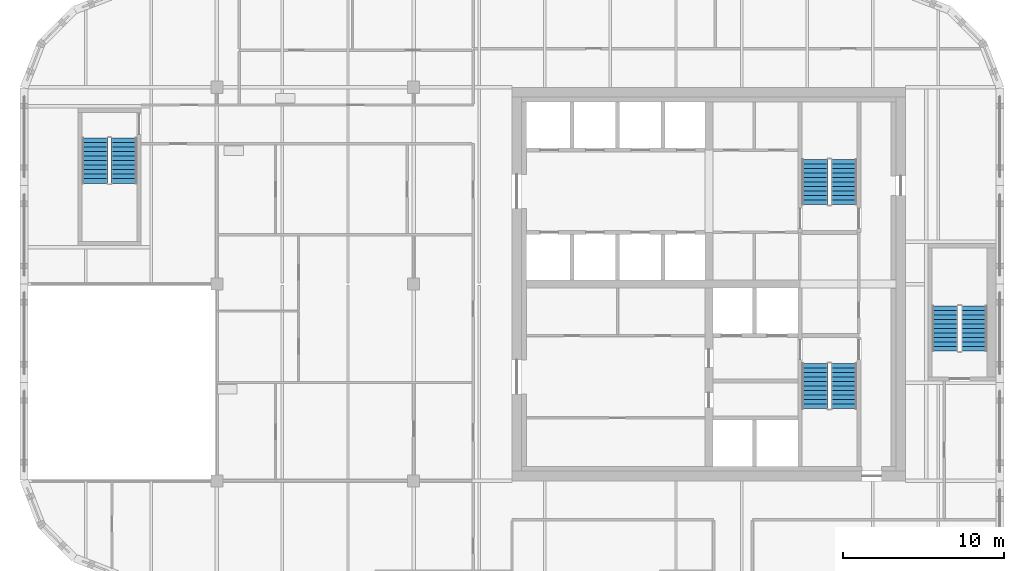
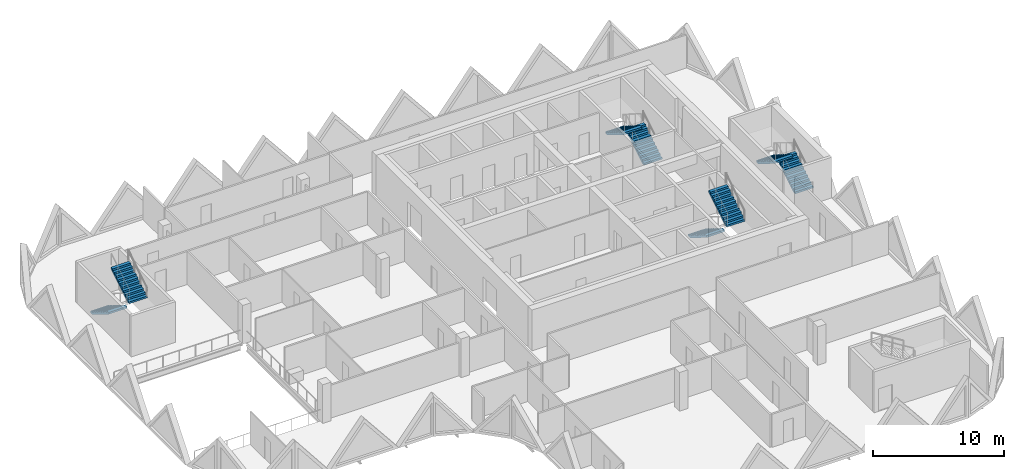
# One storey, part 10 of 12: 8 stair flights, 4 elements without a shape of their own.
"""IFC4 building model written with IfcOpenShell, lengths in metres."""

from ifc_helpers import new_model, si_unit, direction, frame, origin, place, context, subcontext, project, spatial, polyline, outline, extrude, material, type_object, element, aggregate, save


model = new_model("IFC4")

# Units and contexts
model_context = context("Model", 3, precision=1e-05, world=origin(), true_north=direction((0.0, 1.0)))
body_context = subcontext(model_context, "Body", "Model", "MODEL_VIEW")
ifc_project = project(units=[si_unit("LENGTHUNIT", "METRE"), si_unit("AREAUNIT", "SQUARE_METRE"), si_unit("VOLUMEUNIT", "CUBIC_METRE"), si_unit("PLANEANGLEUNIT", "RADIAN"), si_unit("MASSUNIT", "GRAM", prefix="KILO")], contexts=[model_context])

# Site, building, storey
site_placement = place(None, origin())
site = spatial("IfcSite", under=ifc_project, at=site_placement, CompositionType="ELEMENT")
building_placement = place(site_placement, origin())
building = spatial("IfcBuilding", under=site, at=building_placement, Name="Tessera Gate Towers", CompositionType="ELEMENT")
storey_placement = place(building_placement, frame((0.0, 0.0, 155.39990234375)))
storey = spatial("IfcBuildingStorey", under=building, at=storey_placement, Name="L38", CompositionType="ELEMENT", Elevation=155.39990234375)

# Stair, stair flights
ifc_material_1 = material(Name="Concrete C40/50", Category="concrete")
stair_type_1 = type_object("IfcStairType", Name="EXIT STAIR ST1 1600", PredefinedType="HALF_TURN_STAIR", material=ifc_material_1)
stair_1_placement = place(storey_placement, origin())
stair_1 = element("IfcStair", 1, at=stair_1_placement, inside=storey, type_object=stair_type_1, Name="L38 Protected Exit Stair ST1", PredefinedType="HALF_TURN_STAIR")
ifc_material_2 = material(Name="Concrete C40/50", Category="concrete")
stair_flight_type_1 = type_object("IfcStairFlightType", Name="EXIT STAIR FLIGHT ST1 1600", PredefinedType="STRAIGHT", material=ifc_material_2)
stair_flight_1_placement = place(storey_placement, frame((49.27490234375, 31.675048828125, 0.0), z_axis=(0.0, 0.0, 1.0), x_axis=(0.0, -1.0, 0.0)))
stair_flight_1 = element("IfcStairFlight", 2, at=stair_flight_1_placement, type_object=stair_flight_type_1, Name="ST1 flight 1", NumberOfRisers=11, NumberOfTreads=10, PredefinedType="STRAIGHT", RiserHeight=0.172727273, TreadLength=0.28, context=body_context, shape_type="SweptSolid", body=[
    extrude(outline(polyline([(0.0, 0.0), (0.0, 0.172607421875), (0.280029296875, 0.172607421875), (0.280029296875, 0.345458984375), (0.56005859375, 0.345458984375), (0.56005859375, 0.51806640625), (0.840087890625, 0.51806640625), (0.840087890625, 0.69091796875), (1.1201171875, 0.69091796875), (1.1201171875, 0.863525390625), (1.39990234375, 0.863525390625), (1.39990234375, 1.036376953125), (1.679931640625, 1.036376953125), (1.679931640625, 1.208984375), (1.9599609375, 1.208984375), (1.9599609375, 1.3818359375), (2.239990234375, 1.3818359375), (2.239990234375, 1.554443359375), (2.52001953125, 1.554443359375), (2.52001953125, 1.727294921875), (2.800048828125, 1.727294921875), (2.800048828125, 1.89990234375), (2.800048828125, 1.551025390625), (0.285400390625, 0.0), (0.0, 0.0)])), frame((0.0, 0.800048828125, 0.0), z_axis=(0.0, -1.0, 0.0), x_axis=(1.0, 0.0, 0.0)), (0.0, 0.0, 1.0), 1.60009765625),
])
stair_flight_2_placement = place(storey_placement, frame((51.074951171875, 28.875, 1.900146484375), z_axis=(0.0, 0.0, 1.0), x_axis=(0.0, 1.0, 0.0)))
stair_flight_2 = element("IfcStairFlight", 3, at=stair_flight_2_placement, type_object=stair_flight_type_1, Name="ST1 flight 2", NumberOfRisers=11, NumberOfTreads=10, PredefinedType="STRAIGHT", RiserHeight=0.172727273, TreadLength=0.28, context=body_context, shape_type="SweptSolid", body=[
    extrude(outline(polyline([(0.0, 0.0), (0.0, 0.172607421875), (0.280029296875, 0.172607421875), (0.280029296875, 0.345458984375), (0.56005859375, 0.345458984375), (0.56005859375, 0.51806640625), (0.840087890625, 0.51806640625), (0.840087890625, 0.69091796875), (1.1201171875, 0.69091796875), (1.1201171875, 0.863525390625), (1.39990234375, 0.863525390625), (1.39990234375, 1.036376953125), (1.679931640625, 1.036376953125), (1.679931640625, 1.208984375), (1.9599609375, 1.208984375), (1.9599609375, 1.3818359375), (2.239990234375, 1.3818359375), (2.239990234375, 1.554443359375), (2.52001953125, 1.554443359375), (2.52001953125, 1.727294921875), (2.800048828125, 1.727294921875), (2.800048828125, 1.89990234375), (2.800048828125, 1.551025390625), (0.285400390625, 0.0), (0.0, 0.0)])), frame((0.0, 0.800048828125, 0.0), z_axis=(0.0, -1.0, 0.0), x_axis=(1.0, 0.0, 0.0)), (0.0, 0.0, 1.0), 1.60009765625),
])
aggregate(stair_1, [stair_flight_1, stair_flight_2])

ifc_material_3 = material(Name="Concrete C40/50", Category="concrete")
stair_type_2 = type_object("IfcStairType", Name="EXIT STAIR ST2 1600", PredefinedType="HALF_TURN_STAIR", material=ifc_material_3)
stair_2_placement = place(storey_placement, origin())
stair_2 = element("IfcStair", 4, at=stair_2_placement, inside=storey, type_object=stair_type_2, Name="L38 Protected Exit Stair ST2", PredefinedType="HALF_TURN_STAIR")
ifc_material_4 = material(Name="Concrete C40/50", Category="concrete")
stair_flight_type_2 = type_object("IfcStairFlightType", Name="EXIT STAIR FLIGHT ST2 1600", PredefinedType="STRAIGHT", material=ifc_material_4)
stair_flight_3_placement = place(storey_placement, frame((51.074951171875, 41.52490234375, 0.0), z_axis=(0.0, 0.0, 1.0), x_axis=(0.0, 1.0, 0.0)))
stair_flight_3 = element("IfcStairFlight", 5, at=stair_flight_3_placement, type_object=stair_flight_type_2, Name="ST2 flight 1", NumberOfRisers=11, NumberOfTreads=10, PredefinedType="STRAIGHT", RiserHeight=0.172727273, TreadLength=0.28, context=body_context, shape_type="SweptSolid", body=[
    extrude(outline(polyline([(0.0, 0.0), (0.0, 0.172607421875), (0.280029296875, 0.172607421875), (0.280029296875, 0.345458984375), (0.56005859375, 0.345458984375), (0.56005859375, 0.51806640625), (0.840087890625, 0.51806640625), (0.840087890625, 0.69091796875), (1.1201171875, 0.69091796875), (1.1201171875, 0.863525390625), (1.39990234375, 0.863525390625), (1.39990234375, 1.036376953125), (1.679931640625, 1.036376953125), (1.679931640625, 1.208984375), (1.9599609375, 1.208984375), (1.9599609375, 1.3818359375), (2.239990234375, 1.3818359375), (2.239990234375, 1.554443359375), (2.52001953125, 1.554443359375), (2.52001953125, 1.727294921875), (2.800048828125, 1.727294921875), (2.800048828125, 1.89990234375), (2.800048828125, 1.551025390625), (0.285400390625, 0.0), (0.0, 0.0)])), frame((0.0, 0.800048828125, 0.0), z_axis=(0.0, -1.0, 0.0), x_axis=(1.0, 0.0, 0.0)), (0.0, 0.0, 1.0), 1.60009765625),
])
stair_flight_4_placement = place(storey_placement, frame((49.27490234375, 44.324951171875, 1.900146484375), z_axis=(0.0, 0.0, 1.0), x_axis=(0.0, -1.0, 0.0)))
stair_flight_4 = element("IfcStairFlight", 6, at=stair_flight_4_placement, type_object=stair_flight_type_2, Name="ST2 flight 2", NumberOfRisers=11, NumberOfTreads=10, PredefinedType="STRAIGHT", RiserHeight=0.172727273, TreadLength=0.28, context=body_context, shape_type="SweptSolid", body=[
    extrude(outline(polyline([(0.0, 0.0), (0.0, 0.172607421875), (0.280029296875, 0.172607421875), (0.280029296875, 0.345458984375), (0.56005859375, 0.345458984375), (0.56005859375, 0.51806640625), (0.840087890625, 0.51806640625), (0.840087890625, 0.69091796875), (1.1201171875, 0.69091796875), (1.1201171875, 0.863525390625), (1.39990234375, 0.863525390625), (1.39990234375, 1.036376953125), (1.679931640625, 1.036376953125), (1.679931640625, 1.208984375), (1.9599609375, 1.208984375), (1.9599609375, 1.3818359375), (2.239990234375, 1.3818359375), (2.239990234375, 1.554443359375), (2.52001953125, 1.554443359375), (2.52001953125, 1.727294921875), (2.800048828125, 1.727294921875), (2.800048828125, 1.89990234375), (2.800048828125, 1.551025390625), (0.285400390625, 0.0), (0.0, 0.0)])), frame((0.0, 0.800048828125, 0.0), z_axis=(0.0, -1.0, 0.0), x_axis=(1.0, 0.0, 0.0)), (0.0, 0.0, 1.0), 1.60009765625),
])
aggregate(stair_2, [stair_flight_3, stair_flight_4])

ifc_material_5 = material(Name="Concrete C40/50", Category="concrete")
stair_type_3 = type_object("IfcStairType", Name="EXIT STAIR ST3 1600", PredefinedType="HALF_TURN_STAIR", material=ifc_material_5)
stair_3_placement = place(storey_placement, origin())
stair_3 = element("IfcStair", 7, at=stair_3_placement, inside=storey, type_object=stair_type_3, Name="L38 West Exit Stair ST3", PredefinedType="HALF_TURN_STAIR")
ifc_material_6 = material(Name="Concrete C40/50", Category="concrete")
stair_flight_type_3 = type_object("IfcStairFlightType", Name="EXIT STAIR FLIGHT ST3 1600", PredefinedType="STRAIGHT", material=ifc_material_6)
stair_flight_5_placement = place(storey_placement, frame((4.64990234375, 45.64990234375, 0.0), z_axis=(0.0, 0.0, 1.0), x_axis=(0.0, -1.0, 0.0)))
stair_flight_5 = element("IfcStairFlight", 8, at=stair_flight_5_placement, type_object=stair_flight_type_3, Name="ST3 flight 1", NumberOfRisers=11, NumberOfTreads=10, PredefinedType="STRAIGHT", RiserHeight=0.172727273, TreadLength=0.28, context=body_context, shape_type="SweptSolid", body=[
    extrude(outline(polyline([(0.0, 0.0), (0.0, 0.172607421875), (0.280029296875, 0.172607421875), (0.280029296875, 0.345458984375), (0.56005859375, 0.345458984375), (0.56005859375, 0.51806640625), (0.840087890625, 0.51806640625), (0.840087890625, 0.69091796875), (1.1201171875, 0.69091796875), (1.1201171875, 0.863525390625), (1.39990234375, 0.863525390625), (1.39990234375, 1.036376953125), (1.679931640625, 1.036376953125), (1.679931640625, 1.208984375), (1.9599609375, 1.208984375), (1.9599609375, 1.3818359375), (2.239990234375, 1.3818359375), (2.239990234375, 1.554443359375), (2.52001953125, 1.554443359375), (2.52001953125, 1.727294921875), (2.800048828125, 1.727294921875), (2.800048828125, 1.89990234375), (2.800048828125, 1.551025390625), (0.285400390625, 0.0), (0.0, 0.0)])), frame((0.0, 0.800048828125, 0.0), z_axis=(0.0, -1.0, 0.0), x_axis=(1.0, 0.0, 0.0)), (0.0, 0.0, 1.0), 1.60009765625),
])
stair_flight_6_placement = place(storey_placement, frame((6.449951171875, 42.85009765625, 1.900146484375), z_axis=(0.0, 0.0, 1.0), x_axis=(0.0, 1.0, 0.0)))
stair_flight_6 = element("IfcStairFlight", 9, at=stair_flight_6_placement, type_object=stair_flight_type_3, Name="ST3 flight 2", NumberOfRisers=11, NumberOfTreads=10, PredefinedType="STRAIGHT", RiserHeight=0.172727273, TreadLength=0.28, context=body_context, shape_type="SweptSolid", body=[
    extrude(outline(polyline([(0.0, 0.0), (0.0, 0.172607421875), (0.280029296875, 0.172607421875), (0.280029296875, 0.345458984375), (0.56005859375, 0.345458984375), (0.56005859375, 0.51806640625), (0.840087890625, 0.51806640625), (0.840087890625, 0.69091796875), (1.1201171875, 0.69091796875), (1.1201171875, 0.863525390625), (1.39990234375, 0.863525390625), (1.39990234375, 1.036376953125), (1.679931640625, 1.036376953125), (1.679931640625, 1.208984375), (1.9599609375, 1.208984375), (1.9599609375, 1.3818359375), (2.239990234375, 1.3818359375), (2.239990234375, 1.554443359375), (2.52001953125, 1.554443359375), (2.52001953125, 1.727294921875), (2.800048828125, 1.727294921875), (2.800048828125, 1.89990234375), (2.800048828125, 1.551025390625), (0.285400390625, 0.0), (0.0, 0.0)])), frame((0.0, 0.800048828125, 0.0), z_axis=(0.0, -1.0, 0.0), x_axis=(1.0, 0.0, 0.0)), (0.0, 0.0, 1.0), 1.60009765625),
])
aggregate(stair_3, [stair_flight_5, stair_flight_6])

ifc_material_7 = material(Name="Concrete C40/50", Category="concrete")
stair_type_4 = type_object("IfcStairType", Name="EXIT STAIR ST5 1600", PredefinedType="HALF_TURN_STAIR", material=ifc_material_7)
stair_4_placement = place(storey_placement, origin())
stair_4 = element("IfcStair", 10, at=stair_4_placement, inside=storey, type_object=stair_type_4, Name="L38 East Exit Stair ST5", PredefinedType="HALF_TURN_STAIR")
ifc_material_8 = material(Name="Concrete C40/50", Category="concrete")
stair_flight_type_4 = type_object("IfcStairFlightType", Name="EXIT STAIR FLIGHT ST5 1600", PredefinedType="STRAIGHT", material=ifc_material_8)
stair_flight_7_placement = place(storey_placement, frame((59.14990234375, 32.449951171875, 0.0), z_axis=(0.0, 0.0, 1.0), x_axis=(0.0, 1.0, 0.0)))
stair_flight_7 = element("IfcStairFlight", 11, at=stair_flight_7_placement, type_object=stair_flight_type_4, Name="ST5 flight 1", NumberOfRisers=11, NumberOfTreads=10, PredefinedType="STRAIGHT", RiserHeight=0.172727273, TreadLength=0.28, context=body_context, shape_type="SweptSolid", body=[
    extrude(outline(polyline([(0.0, 0.0), (0.0, 0.172607421875), (0.280029296875, 0.172607421875), (0.280029296875, 0.345458984375), (0.56005859375, 0.345458984375), (0.56005859375, 0.51806640625), (0.840087890625, 0.51806640625), (0.840087890625, 0.69091796875), (1.1201171875, 0.69091796875), (1.1201171875, 0.863525390625), (1.39990234375, 0.863525390625), (1.39990234375, 1.036376953125), (1.679931640625, 1.036376953125), (1.679931640625, 1.208984375), (1.9599609375, 1.208984375), (1.9599609375, 1.3818359375), (2.239990234375, 1.3818359375), (2.239990234375, 1.554443359375), (2.52001953125, 1.554443359375), (2.52001953125, 1.727294921875), (2.800048828125, 1.727294921875), (2.800048828125, 1.89990234375), (2.800048828125, 1.551025390625), (0.285400390625, 0.0), (0.0, 0.0)])), frame((0.0, 0.800048828125, 0.0), z_axis=(0.0, -1.0, 0.0), x_axis=(1.0, 0.0, 0.0)), (0.0, 0.0, 1.0), 1.60009765625),
])
stair_flight_8_placement = place(storey_placement, frame((57.35009765625, 35.25, 1.900146484375), z_axis=(0.0, 0.0, 1.0), x_axis=(0.0, -1.0, 0.0)))
stair_flight_8 = element("IfcStairFlight", 12, at=stair_flight_8_placement, type_object=stair_flight_type_4, Name="ST5 flight 2", NumberOfRisers=11, NumberOfTreads=10, PredefinedType="STRAIGHT", RiserHeight=0.172727273, TreadLength=0.28, context=body_context, shape_type="SweptSolid", body=[
    extrude(outline(polyline([(0.0, 0.0), (0.0, 0.172607421875), (0.280029296875, 0.172607421875), (0.280029296875, 0.345458984375), (0.56005859375, 0.345458984375), (0.56005859375, 0.51806640625), (0.840087890625, 0.51806640625), (0.840087890625, 0.69091796875), (1.1201171875, 0.69091796875), (1.1201171875, 0.863525390625), (1.39990234375, 0.863525390625), (1.39990234375, 1.036376953125), (1.679931640625, 1.036376953125), (1.679931640625, 1.208984375), (1.9599609375, 1.208984375), (1.9599609375, 1.3818359375), (2.239990234375, 1.3818359375), (2.239990234375, 1.554443359375), (2.52001953125, 1.554443359375), (2.52001953125, 1.727294921875), (2.800048828125, 1.727294921875), (2.800048828125, 1.89990234375), (2.800048828125, 1.551025390625), (0.285400390625, 0.0), (0.0, 0.0)])), frame((0.0, 0.800048828125, 0.0), z_axis=(0.0, -1.0, 0.0), x_axis=(1.0, 0.0, 0.0)), (0.0, 0.0, 1.0), 1.60009765625),
])
aggregate(stair_4, [stair_flight_7, stair_flight_8])

save(model, "model.ifc")
